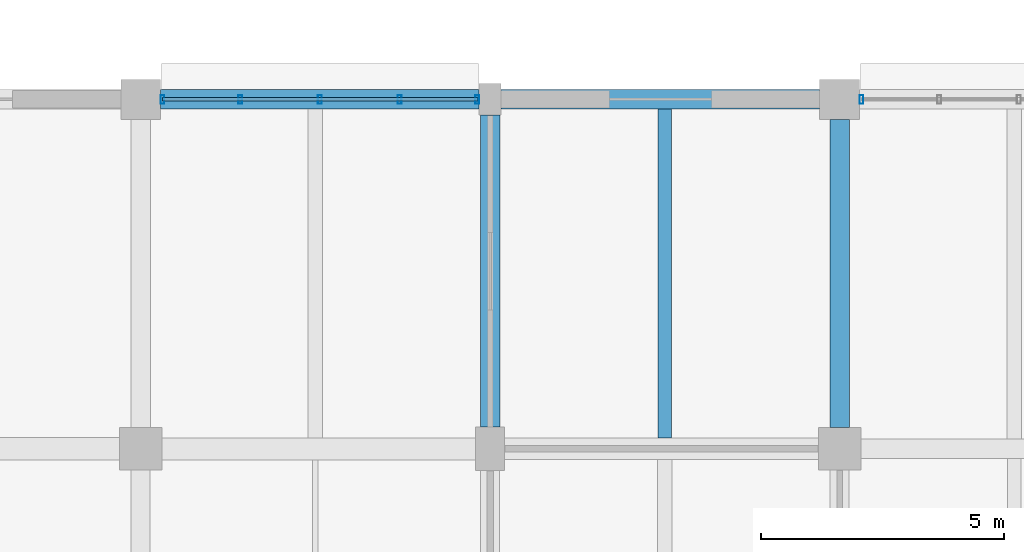
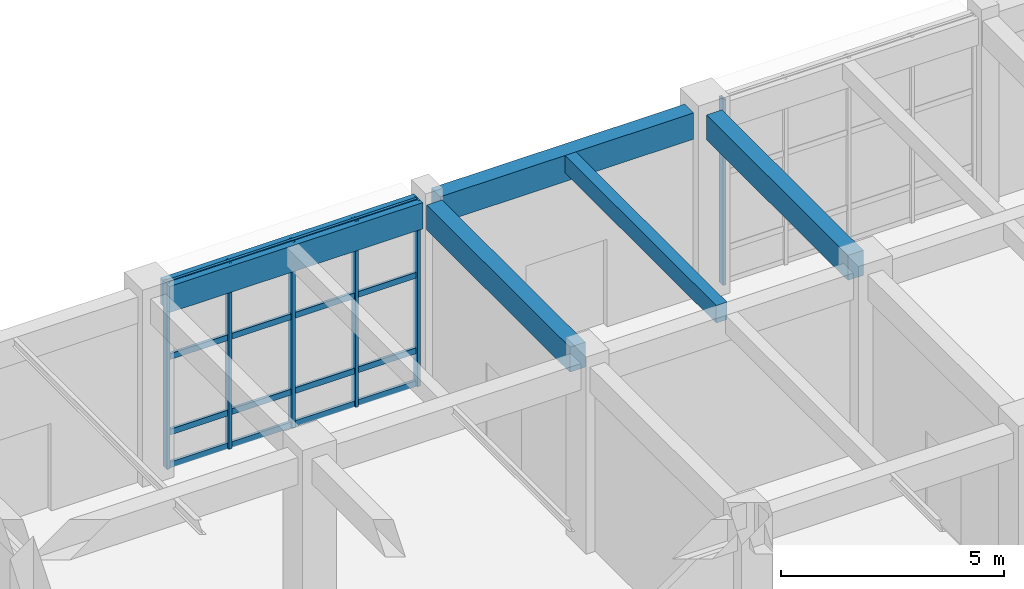
# One storey, part 88 of 160: 10 members, 5 beams, 2 elements without a shape of their own.
"""IFC4 building model written with IfcOpenShell, lengths in metres."""

from ifc_helpers import new_model, si_unit, direction, frame, origin, origin_2d, place, context, subcontext, project, spatial, rectangle, hollow_rectangle, extrude, material, material_profile, profile_set, type_object, element, aggregate, save


model = new_model("IFC4")

# Units and contexts
model_context = context("Model", 3, precision=1e-05, world=origin(), true_north=direction((0.0, 1.0)))
body_context = subcontext(model_context, "Body", "Model", "MODEL_VIEW")
ifc_project = project(units=[si_unit("LENGTHUNIT", "METRE"), si_unit("AREAUNIT", "SQUARE_METRE"), si_unit("VOLUMEUNIT", "CUBIC_METRE"), si_unit("PLANEANGLEUNIT", "RADIAN"), si_unit("MASSUNIT", "GRAM", prefix="KILO")], contexts=[model_context])

# Site, building, storey
site_placement = place(None, origin())
site = spatial("IfcSite", under=ifc_project, at=site_placement, CompositionType="ELEMENT")
building_placement = place(site_placement, origin())
building = spatial("IfcBuilding", under=site, at=building_placement, Name="Thalmaran Polytechnic", CompositionType="ELEMENT")
storey_placement = place(building_placement, origin())
storey = spatial("IfcBuildingStorey", under=building, at=storey_placement, Name="L00", CompositionType="ELEMENT", Elevation=0.0)

# Beams
ifc_material_1 = material(Name="Concrete C40/50", Category="concrete")
ifc_material_profile_1 = material_profile(ifc_material_1, rectangle(XDim=0.39990234375, YDim=0.719970703125, at=origin_2d()), Name="RC 400x720")
ifc_profile_set_1 = profile_set([ifc_material_profile_1], Name="Concrete C40/50")
beam_type_1 = type_object("IfcBeamType", Name="BM-SP01", PredefinedType="SPANDREL", material=ifc_profile_set_1)
beam_1_placement = place(storey_placement, frame((94.010009765625, 122.39990234375, 4.72998046875), z_axis=(1.0, 0.0, 0.0), x_axis=(0.0, 1.0, 0.0)))
element("IfcBeam", 1, at=beam_1_placement, inside=storey, type_object=beam_type_1, Name="Grid Beam SP01 L00 X(13,17)", PredefinedType="SPANDREL", context=body_context, shape_type="SweptSolid", body=[
    extrude(rectangle(XDim=0.39990234375, YDim=0.719970703125, at=origin_2d()), origin(), (0.0, 0.0, 1.0), 6.56494140625),
])
beam_2_placement = place(storey_placement, frame((101.02490234375, 122.39990234375, 4.72998046875), z_axis=(1.0, 0.0, 0.0), x_axis=(0.0, 1.0, 0.0)))
element("IfcBeam", 2, at=beam_2_placement, inside=storey, type_object=beam_type_1, Name="Grid Beam SP01 L00 X(14,17)", PredefinedType="SPANDREL", context=body_context, shape_type="SweptSolid", body=[
    extrude(rectangle(XDim=0.39990234375, YDim=0.719970703125, at=origin_2d()), origin(), (0.0, 0.0, 1.0), 6.565185546875),
])
ifc_material_profile_2 = material_profile(ifc_material_1, rectangle(XDim=0.39990234375, YDim=0.68505859375, at=origin_2d()), Name="RC 400x685")
ifc_profile_set_2 = profile_set([ifc_material_profile_2], Name="Concrete C40/50")
beam_type_2 = type_object("IfcBeamType", Name="BM-ZB07", PredefinedType="BEAM", material=ifc_profile_set_2)
beam_3_placement = place(storey_placement, frame((100.800048828125, 115.64990234375, 4.74755859375), z_axis=(0.0, 1.0, 0.0), x_axis=(-1.0, 0.0, 0.0)))
element("IfcBeam", 3, at=beam_3_placement, inside=storey, type_object=beam_type_2, Name="Grid Beam ZB07 L00 Y(14,16)", PredefinedType="BEAM", context=body_context, shape_type="SweptSolid", body=[
    extrude(rectangle(XDim=0.39990234375, YDim=0.68505859375, at=origin_2d()), origin(), (0.0, 0.0, 1.0), 6.425048828125),
])
beam_4_placement = place(storey_placement, frame((108.0, 115.639892578125, 4.74755859375), z_axis=(0.0, 1.0, 0.0), x_axis=(-1.0, 0.0, 0.0)))
element("IfcBeam", 4, at=beam_4_placement, inside=storey, type_object=beam_type_2, Name="Grid Beam ZB07 L00 Y(15,16)", PredefinedType="BEAM", context=body_context, shape_type="SweptSolid", body=[
    extrude(rectangle(XDim=0.39990234375, YDim=0.68505859375, at=origin_2d()), origin(), (0.0, 0.0, 1.0), 6.35009765625),
])
ifc_material_profile_3 = material_profile(ifc_material_1, rectangle(XDim=0.280029296875, YDim=0.47998046875, at=origin_2d()), Name="RC 280x480")
ifc_profile_set_3 = profile_set([ifc_material_profile_3], Name="Concrete C40/50")
beam_type_3 = type_object("IfcBeamType", Name="BM-ZJ01", PredefinedType="JOIST", material=ifc_profile_set_3)
beam_5_placement = place(storey_placement, frame((104.39990234375, 115.419921875, 4.85009765625), z_axis=(0.0, 1.0, 0.0), x_axis=(-1.0, 0.0, 0.0)))
element("IfcBeam", 5, at=beam_5_placement, inside=storey, type_object=beam_type_3, Name="Secondary Floor Rib ZJ01 L00 (14,16)", PredefinedType="JOIST", context=body_context, shape_type="SweptSolid", body=[
    extrude(rectangle(XDim=0.280029296875, YDim=0.47998046875, at=origin_2d()), origin(), (0.0, 0.0, 1.0), 6.780029296875),
])

# Curtain wall, members
ifc_material_2 = material(Name="Aluminium 6063-T6", Category="aluminium")
curtain_wall_type = type_object("IfcCurtainWallType", Name="CW-UC01", PredefinedType="USERDEFINED", material=ifc_material_2)
curtain_wall_1_placement = place(storey_placement, origin())
curtain_wall_1 = element("IfcCurtainWall", 6, at=curtain_wall_1_placement, inside=storey, type_object=curtain_wall_type, Name="Curtain Wall CW-L00-008", ObjectType="UNITISED CURTAIN WALL", PredefinedType="USERDEFINED")
ifc_material_profile_4 = material_profile(ifc_material_2, hollow_rectangle(XDim=0.080078125, YDim=0.179931640625, WallThickness=0.0048828125, at=origin_2d()), Name="RHS 180x80x5.0")
ifc_profile_set_4 = profile_set([ifc_material_profile_4], Name="Aluminium 6063-T6")
member_type_1 = type_object("IfcMemberType", Name="CW-MUL1", PredefinedType="MULLION", material=ifc_profile_set_4)
member_1_placement = place(storey_placement, frame((94.050048828125, 122.39990234375, 0.0), z_axis=(0.0, 0.0, 1.0), x_axis=(1.0, 0.0, 0.0)))
member_1 = element("IfcMember", 7, at=member_1_placement, type_object=member_type_1, Name="CW-L00-008 Mullion 1", PredefinedType="MULLION", context=body_context, shape_type="SweptSolid", body=[
    extrude(hollow_rectangle(XDim=0.080078125, YDim=0.179931640625, WallThickness=0.0048828125, at=origin_2d()), origin(), (0.0, 0.0, 1.0), 5.090087890625),
])
member_2_placement = place(storey_placement, frame((95.6513671875, 122.39990234375, 0.0), z_axis=(0.0, 0.0, 1.0), x_axis=(1.0, 0.0, 0.0)))
member_2 = element("IfcMember", 8, at=member_2_placement, type_object=member_type_1, Name="CW-L00-008 Mullion 2", PredefinedType="MULLION", context=body_context, shape_type="SweptSolid", body=[
    extrude(hollow_rectangle(XDim=0.080078125, YDim=0.179931640625, WallThickness=0.0048828125, at=origin_2d()), origin(), (0.0, 0.0, 1.0), 5.090087890625),
])
member_3_placement = place(storey_placement, frame((97.29248046875, 122.39990234375, 0.0), z_axis=(0.0, 0.0, 1.0), x_axis=(1.0, 0.0, 0.0)))
member_3 = element("IfcMember", 9, at=member_3_placement, type_object=member_type_1, Name="CW-L00-008 Mullion 3", PredefinedType="MULLION", context=body_context, shape_type="SweptSolid", body=[
    extrude(hollow_rectangle(XDim=0.080078125, YDim=0.179931640625, WallThickness=0.0048828125, at=origin_2d()), origin(), (0.0, 0.0, 1.0), 5.090087890625),
])
member_4_placement = place(storey_placement, frame((98.933837890625, 122.39990234375, 0.0), z_axis=(0.0, 0.0, 1.0), x_axis=(1.0, 0.0, 0.0)))
member_4 = element("IfcMember", 10, at=member_4_placement, type_object=member_type_1, Name="CW-L00-008 Mullion 4", PredefinedType="MULLION", context=body_context, shape_type="SweptSolid", body=[
    extrude(hollow_rectangle(XDim=0.080078125, YDim=0.179931640625, WallThickness=0.0048828125, at=origin_2d()), origin(), (0.0, 0.0, 1.0), 5.090087890625),
])
member_5_placement = place(storey_placement, frame((100.534912109375, 122.39990234375, 0.0), z_axis=(0.0, 0.0, 1.0), x_axis=(1.0, 0.0, 0.0)))
member_5 = element("IfcMember", 11, at=member_5_placement, type_object=member_type_1, Name="CW-L00-008 Mullion 5", PredefinedType="MULLION", context=body_context, shape_type="SweptSolid", body=[
    extrude(hollow_rectangle(XDim=0.080078125, YDim=0.179931640625, WallThickness=0.0048828125, at=origin_2d()), origin(), (0.0, 0.0, 1.0), 5.090087890625),
])

# Curtain wall, member
curtain_wall_2_placement = place(storey_placement, origin())
curtain_wall_2 = element("IfcCurtainWall", 12, at=curtain_wall_2_placement, inside=storey, type_object=curtain_wall_type, Name="Curtain Wall CW-L00-009", ObjectType="UNITISED CURTAIN WALL", PredefinedType="USERDEFINED")
member_6_placement = place(storey_placement, frame((108.449951171875, 122.39990234375, 0.0), z_axis=(0.0, 0.0, 1.0), x_axis=(1.0, 0.0, 0.0)))
member_6 = element("IfcMember", 13, at=member_6_placement, type_object=member_type_1, Name="CW-L00-009 Mullion 1", PredefinedType="MULLION", context=body_context, shape_type="SweptSolid", body=[
    extrude(hollow_rectangle(XDim=0.080078125, YDim=0.179931640625, WallThickness=0.0048828125, at=origin_2d()), origin(), (0.0, 0.0, 1.0), 5.090087890625),
])
aggregate(curtain_wall_2, [member_6])

# Member
ifc_material_profile_5 = material_profile(ifc_material_2, hollow_rectangle(XDim=0.070068359375, YDim=0.159912109375, WallThickness=0.00390625, at=origin_2d()), Name="AL 160x70x4.0")
ifc_profile_set_5 = profile_set([ifc_material_profile_5], Name="Aluminium 6063-T6")
member_type_2 = type_object("IfcMemberType", Name="CW-TRN1", PredefinedType="USERDEFINED", material=ifc_profile_set_5)
member_7_placement = place(storey_placement, frame((94.050048828125, 122.39990234375, 0.06005859375), z_axis=(1.0, 0.0, 0.0), x_axis=(0.0, 1.0, 0.0)))
member_7 = element("IfcMember", 14, at=member_7_placement, type_object=member_type_2, Name="CW-L00-008 Transom 1", ObjectType="TRANSOM", PredefinedType="USERDEFINED", context=body_context, shape_type="SweptSolid", body=[
    extrude(hollow_rectangle(XDim=0.070068359375, YDim=0.159912109375, WallThickness=0.00390625, at=origin_2d()), origin(), (0.0, 0.0, 1.0), 6.48486328125),
])

member_8_placement = place(storey_placement, frame((94.050048828125, 122.39990234375, 0.9599609375), z_axis=(1.0, 0.0, 0.0), x_axis=(0.0, 1.0, 0.0)))
member_8 = element("IfcMember", 15, at=member_8_placement, type_object=member_type_2, Name="CW-L00-008 Transom 2", ObjectType="TRANSOM", PredefinedType="USERDEFINED", context=body_context, shape_type="SweptSolid", body=[
    extrude(hollow_rectangle(XDim=0.070068359375, YDim=0.159912109375, WallThickness=0.00390625, at=origin_2d()), origin(), (0.0, 0.0, 1.0), 6.48486328125),
])

member_9_placement = place(storey_placement, frame((94.050048828125, 122.39990234375, 3.02490234375), z_axis=(1.0, 0.0, 0.0), x_axis=(0.0, 1.0, 0.0)))
member_9 = element("IfcMember", 16, at=member_9_placement, type_object=member_type_2, Name="CW-L00-008 Transom 3", ObjectType="TRANSOM", PredefinedType="USERDEFINED", context=body_context, shape_type="SweptSolid", body=[
    extrude(hollow_rectangle(XDim=0.070068359375, YDim=0.159912109375, WallThickness=0.00390625, at=origin_2d()), origin(), (0.0, 0.0, 1.0), 6.48486328125),
])

member_10_placement = place(storey_placement, frame((94.050048828125, 122.39990234375, 5.030029296875), z_axis=(1.0, 0.0, 0.0), x_axis=(0.0, 1.0, 0.0)))
member_10 = element("IfcMember", 17, at=member_10_placement, type_object=member_type_2, Name="CW-L00-008 Transom 4", ObjectType="TRANSOM", PredefinedType="USERDEFINED", context=body_context, shape_type="SweptSolid", body=[
    extrude(hollow_rectangle(XDim=0.070068359375, YDim=0.159912109375, WallThickness=0.00390625, at=origin_2d()), origin(), (0.0, 0.0, 1.0), 6.48486328125),
])

aggregate(curtain_wall_1, [member_1, member_2, member_3, member_4, member_5, member_7, member_8, member_9, member_10])

save(model, "model.ifc")
